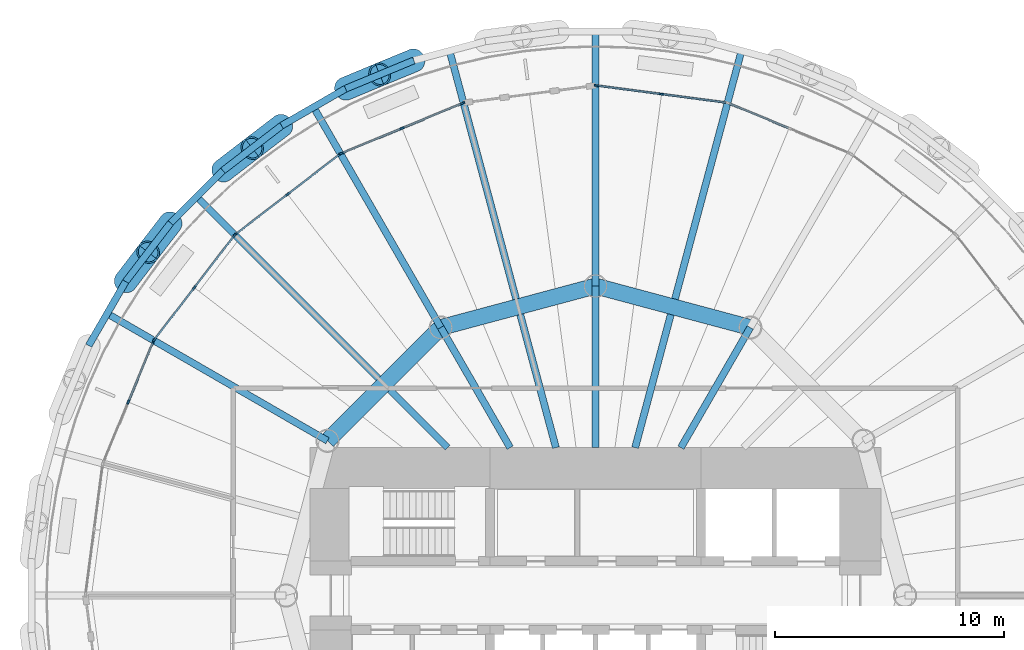
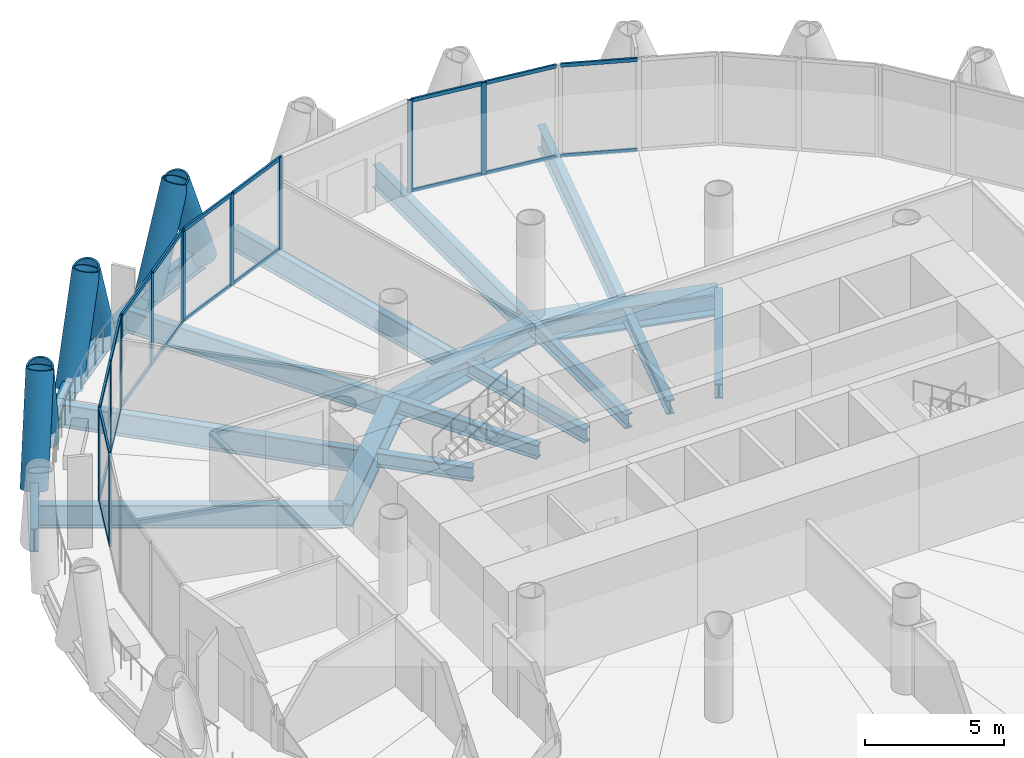
# One storey, part 6 of 15: 39 members, 21 beams, 6 elements without a shape of their own.
"""IFC4 building model written with IfcOpenShell, lengths in metres."""

from ifc_helpers import new_model, si_unit, direction, frame, origin, origin_2d, place, context, subcontext, project, spatial, rectangle, hollow_circle, i_section, extrude, material, material_profile, profile_set, type_object, element, aggregate, save


model = new_model("IFC4")

# Units and contexts
model_context = context("Model", 3, precision=1e-05, world=origin(), true_north=direction((0.0, 1.0)))
body_context = subcontext(model_context, "Body", "Model", "MODEL_VIEW")
ifc_project = project(units=[si_unit("LENGTHUNIT", "METRE"), si_unit("AREAUNIT", "SQUARE_METRE"), si_unit("VOLUMEUNIT", "CUBIC_METRE"), si_unit("PLANEANGLEUNIT", "RADIAN"), si_unit("MASSUNIT", "GRAM", prefix="KILO")], contexts=[model_context])

# Site, building, storey
site_placement = place(None, origin())
site = spatial("IfcSite", under=ifc_project, at=site_placement, CompositionType="ELEMENT")
building_placement = place(site_placement, origin())
building = spatial("IfcBuilding", under=site, at=building_placement, Name="Qaws Media Tower", CompositionType="ELEMENT")
storey_placement = place(building_placement, frame((0.0, 0.0, 164.60009765625)))
storey = spatial("IfcBuildingStorey", under=building, at=storey_placement, Name="L37", CompositionType="ELEMENT", Elevation=164.60009765625)

# Curtain wall, members
ifc_material_1 = material(Name="Aluminium and clear glass", Category="aluminium")
curtain_wall_type = type_object("IfcCurtainWallType", Name="Unitised curtain wall CW-B", PredefinedType="NOTDEFINED", material=ifc_material_1)
curtain_wall_1_placement = place(storey_placement, origin())
curtain_wall_1 = element("IfcCurtainWall", 1, at=curtain_wall_1_placement, inside=storey, type_object=curtain_wall_type, Name="CWB curtain wall L37-06", PredefinedType="NOTDEFINED")
ifc_material_2 = material(Name="Aluminium mullion", Category="aluminium")
ifc_material_profile_1 = material_profile(ifc_material_2, rectangle(XDim=0.080078125, YDim=0.199951171875, at=origin_2d()), Name="80x200")
ifc_profile_set_1 = profile_set([ifc_material_profile_1], Name="Aluminium mullion")
member_type_1 = type_object("IfcMemberType", Name="Curtain wall mullion 80x200", PredefinedType="MULLION", material=ifc_profile_set_1)
member_1_placement = place(storey_placement, frame((62.87939453125, 71.870849609375, 0.0), z_axis=(0.0, 0.0, 1.0), x_axis=(-0.130526124942, -0.991444870231, 0.0)))
member_1 = element("IfcMember", 2, at=member_1_placement, type_object=member_type_1, Name="CWB mullion 2", PredefinedType="MULLION", context=body_context, shape_type="SweptSolid", body=[
    extrude(rectangle(XDim=0.080078125, YDim=0.199951171875, at=origin_2d()), origin(), (0.0, 0.0, 1.0), 4.039794921875),
])
member_2_placement = place(storey_placement, frame((60.03955078125, 72.244873046875, 0.0), z_axis=(0.0, 0.0, 1.0), x_axis=(-0.130526124942, -0.991444870231, 0.0)))
member_2 = element("IfcMember", 3, at=member_2_placement, type_object=member_type_1, Name="CWB mullion 3", PredefinedType="MULLION", context=body_context, shape_type="SweptSolid", body=[
    extrude(rectangle(XDim=0.080078125, YDim=0.199951171875, at=origin_2d()), origin(), (0.0, 0.0, 1.0), 4.039794921875),
])

curtain_wall_2_placement = place(storey_placement, origin())
curtain_wall_2 = element("IfcCurtainWall", 4, at=curtain_wall_2_placement, inside=storey, type_object=curtain_wall_type, Name="CWB curtain wall L37-08", PredefinedType="NOTDEFINED")
member_3_placement = place(storey_placement, frame((54.204345703125, 71.4765625, 0.0), z_axis=(0.0, 0.0, 1.0), x_axis=(0.382683535434, -0.923879489819, 0.0)))
member_3 = element("IfcMember", 5, at=member_3_placement, type_object=member_type_1, Name="CWB mullion 1", PredefinedType="MULLION", context=body_context, shape_type="SweptSolid", body=[
    extrude(rectangle(XDim=0.080078125, YDim=0.199951171875, at=origin_2d()), origin(), (0.0, 0.0, 1.0), 4.039794921875),
])
member_4_placement = place(storey_placement, frame((51.55810546875, 70.38037109375, 0.0), z_axis=(0.0, 0.0, 1.0), x_axis=(0.382683535434, -0.923879489819, 0.0)))
member_4 = element("IfcMember", 6, at=member_4_placement, type_object=member_type_1, Name="CWB mullion 2", PredefinedType="MULLION", context=body_context, shape_type="SweptSolid", body=[
    extrude(rectangle(XDim=0.080078125, YDim=0.199951171875, at=origin_2d()), origin(), (0.0, 0.0, 1.0), 4.039794921875),
])
member_5_placement = place(storey_placement, frame((48.911865234375, 69.284423828125, 0.0), z_axis=(0.0, 0.0, 1.0), x_axis=(0.382683535434, -0.923879489819, 0.0)))
member_5 = element("IfcMember", 7, at=member_5_placement, type_object=member_type_1, Name="CWB mullion 3", PredefinedType="MULLION", context=body_context, shape_type="SweptSolid", body=[
    extrude(rectangle(XDim=0.080078125, YDim=0.199951171875, at=origin_2d()), origin(), (0.0, 0.0, 1.0), 4.039794921875),
])

curtain_wall_3_placement = place(storey_placement, origin())
curtain_wall_3 = element("IfcCurtainWall", 8, at=curtain_wall_3_placement, inside=storey, type_object=curtain_wall_type, Name="CWB curtain wall L37-09", PredefinedType="NOTDEFINED")
member_6_placement = place(storey_placement, frame((48.84326171875, 69.24462890625, 0.0), z_axis=(0.0, 0.0, 1.0), x_axis=(0.608761380919, -0.793353377191, 0.0)))
member_6 = element("IfcMember", 9, at=member_6_placement, type_object=member_type_1, Name="CWB mullion 1", PredefinedType="MULLION", context=body_context, shape_type="SweptSolid", body=[
    extrude(rectangle(XDim=0.080078125, YDim=0.199951171875, at=origin_2d()), origin(), (0.0, 0.0, 1.0), 4.039794921875),
])
member_7_placement = place(storey_placement, frame((46.571044921875, 67.5009765625, 0.0), z_axis=(0.0, 0.0, 1.0), x_axis=(0.608761380919, -0.793353377191, 0.0)))
member_7 = element("IfcMember", 10, at=member_7_placement, type_object=member_type_1, Name="CWB mullion 2", PredefinedType="MULLION", context=body_context, shape_type="SweptSolid", body=[
    extrude(rectangle(XDim=0.080078125, YDim=0.199951171875, at=origin_2d()), origin(), (0.0, 0.0, 1.0), 4.039794921875),
])
member_8_placement = place(storey_placement, frame((44.298583984375, 65.757568359375, 0.0), z_axis=(0.0, 0.0, 1.0), x_axis=(0.608761380919, -0.793353377191, 0.0)))
member_8 = element("IfcMember", 11, at=member_8_placement, type_object=member_type_1, Name="CWB mullion 3", PredefinedType="MULLION", context=body_context, shape_type="SweptSolid", body=[
    extrude(rectangle(XDim=0.080078125, YDim=0.199951171875, at=origin_2d()), origin(), (0.0, 0.0, 1.0), 4.039794921875),
])

curtain_wall_4_placement = place(storey_placement, origin())
curtain_wall_4 = element("IfcCurtainWall", 12, at=curtain_wall_4_placement, inside=storey, type_object=curtain_wall_type, Name="CWB curtain wall L37-10", PredefinedType="NOTDEFINED")
member_9_placement = place(storey_placement, frame((44.242431640625, 65.701416015625, 0.0), z_axis=(0.0, 0.0, 1.0), x_axis=(0.793353377191, -0.608761380919, 0.0)))
member_9 = element("IfcMember", 13, at=member_9_placement, type_object=member_type_1, Name="CWB mullion 1", PredefinedType="MULLION", context=body_context, shape_type="SweptSolid", body=[
    extrude(rectangle(XDim=0.080078125, YDim=0.199951171875, at=origin_2d()), origin(), (0.0, 0.0, 1.0), 4.039794921875),
])
member_10_placement = place(storey_placement, frame((42.4990234375, 63.428955078125, 0.0), z_axis=(0.0, 0.0, 1.0), x_axis=(0.793353377191, -0.608761380919, 0.0)))
member_10 = element("IfcMember", 14, at=member_10_placement, type_object=member_type_1, Name="CWB mullion 2", PredefinedType="MULLION", context=body_context, shape_type="SweptSolid", body=[
    extrude(rectangle(XDim=0.080078125, YDim=0.199951171875, at=origin_2d()), origin(), (0.0, 0.0, 1.0), 4.039794921875),
])
member_11_placement = place(storey_placement, frame((40.75537109375, 61.15673828125, 0.0), z_axis=(0.0, 0.0, 1.0), x_axis=(0.793353377191, -0.608761380919, 0.0)))
member_11 = element("IfcMember", 15, at=member_11_placement, type_object=member_type_1, Name="CWB mullion 3", PredefinedType="MULLION", context=body_context, shape_type="SweptSolid", body=[
    extrude(rectangle(XDim=0.080078125, YDim=0.199951171875, at=origin_2d()), origin(), (0.0, 0.0, 1.0), 4.039794921875),
])

curtain_wall_5_placement = place(storey_placement, origin())
curtain_wall_5 = element("IfcCurtainWall", 16, at=curtain_wall_5_placement, inside=storey, type_object=curtain_wall_type, Name="CWB curtain wall L37-11", PredefinedType="NOTDEFINED")
member_12_placement = place(storey_placement, frame((40.715576171875, 61.088134765625, 0.0), z_axis=(0.0, 0.0, 1.0), x_axis=(0.923879489819, -0.382683535434, 0.0)))
member_12 = element("IfcMember", 17, at=member_12_placement, type_object=member_type_1, Name="CWB mullion 1", PredefinedType="MULLION", context=body_context, shape_type="SweptSolid", body=[
    extrude(rectangle(XDim=0.080078125, YDim=0.199951171875, at=origin_2d()), origin(), (0.0, 0.0, 1.0), 4.039794921875),
])
member_13_placement = place(storey_placement, frame((39.61962890625, 58.44189453125, 0.0), z_axis=(0.0, 0.0, 1.0), x_axis=(0.923879489819, -0.382683535434, 0.0)))
member_13 = element("IfcMember", 18, at=member_13_placement, type_object=member_type_1, Name="CWB mullion 2", PredefinedType="MULLION", context=body_context, shape_type="SweptSolid", body=[
    extrude(rectangle(XDim=0.080078125, YDim=0.199951171875, at=origin_2d()), origin(), (0.0, 0.0, 1.0), 4.039794921875),
])

curtain_wall_6_placement = place(storey_placement, origin())
curtain_wall_6 = element("IfcCurtainWall", 19, at=curtain_wall_6_placement, inside=storey, type_object=curtain_wall_type, Name="CWB curtain wall L37-05", PredefinedType="NOTDEFINED")
ifc_material_3 = material(Name="Aluminium transom", Category="aluminium")
ifc_material_profile_2 = material_profile(ifc_material_3, rectangle(XDim=0.080078125, YDim=0.159912109375, at=origin_2d()), Name="80x160")
ifc_profile_set_2 = profile_set([ifc_material_profile_2], Name="Aluminium transom")
member_type_2 = type_object("IfcMemberType", Name="Curtain wall transom 80x160", PredefinedType="USERDEFINED", material=ifc_profile_set_2)
member_14_placement = place(storey_placement, frame((68.40478515625, 70.395751953125, 0.039794921875), z_axis=(-0.923884309714, 0.382671898974, 0.0), x_axis=(-0.382671898974, -0.923884309714, 0.0)))
member_14 = element("IfcMember", 20, at=member_14_placement, type_object=member_type_2, Name="CWB transom 2.1", ObjectType="TRANSOM", PredefinedType="USERDEFINED", context=body_context, shape_type="SweptSolid", body=[
    extrude(rectangle(XDim=0.080078125, YDim=0.159912109375, at=origin_2d()), origin(), (0.0, 0.0, 1.0), 2.7841796875),
])
member_15_placement = place(storey_placement, frame((68.40478515625, 70.395751953125, 4.0), z_axis=(-0.923884309714, 0.382671898974, 0.0), x_axis=(-0.382671898974, -0.923884309714, 0.0)))
member_15 = element("IfcMember", 21, at=member_15_placement, type_object=member_type_2, Name="CWB transom 2.2", ObjectType="TRANSOM", PredefinedType="USERDEFINED", context=body_context, shape_type="SweptSolid", body=[
    extrude(rectangle(XDim=0.080078125, YDim=0.159912109375, at=origin_2d()), origin(), (0.0, 0.0, 1.0), 2.7841796875),
])
aggregate(curtain_wall_6, [member_14, member_15])

# Member
member_16_placement = place(storey_placement, frame((65.679443359375, 71.502197265625, 0.039794921875), z_axis=(-0.991440262797, 0.130561117123, 0.0), x_axis=(-0.130561117123, -0.991440262797, 0.0)))
member_16 = element("IfcMember", 22, at=member_16_placement, type_object=member_type_2, Name="CWB transom 1.1", ObjectType="TRANSOM", PredefinedType="USERDEFINED", context=body_context, shape_type="SweptSolid", body=[
    extrude(rectangle(XDim=0.080078125, YDim=0.159912109375, at=origin_2d()), origin(), (0.0, 0.0, 1.0), 2.784423828125),
])

member_17_placement = place(storey_placement, frame((65.679443359375, 71.502197265625, 4.0), z_axis=(-0.991440262797, 0.130561117123, 0.0), x_axis=(-0.130561117123, -0.991440262797, 0.0)))
member_17 = element("IfcMember", 23, at=member_17_placement, type_object=member_type_2, Name="CWB transom 1.2", ObjectType="TRANSOM", PredefinedType="USERDEFINED", context=body_context, shape_type="SweptSolid", body=[
    extrude(rectangle(XDim=0.080078125, YDim=0.159912109375, at=origin_2d()), origin(), (0.0, 0.0, 1.0), 2.784423828125),
])

member_18_placement = place(storey_placement, frame((62.839599609375, 71.876220703125, 0.039794921875), z_axis=(-0.991450116363, 0.130486270401, 0.0), x_axis=(-0.130486270401, -0.991450116363, 0.0)))
member_18 = element("IfcMember", 24, at=member_18_placement, type_object=member_type_2, Name="CWB transom 2.1", ObjectType="TRANSOM", PredefinedType="USERDEFINED", context=body_context, shape_type="SweptSolid", body=[
    extrude(rectangle(XDim=0.080078125, YDim=0.159912109375, at=origin_2d()), origin(), (0.0, 0.0, 1.0), 2.783935546875),
])

member_19_placement = place(storey_placement, frame((62.839599609375, 71.876220703125, 4.0), z_axis=(-0.991450116363, 0.130486270401, 0.0), x_axis=(-0.130486270401, -0.991450116363, 0.0)))
member_19 = element("IfcMember", 25, at=member_19_placement, type_object=member_type_2, Name="CWB transom 2.2", ObjectType="TRANSOM", PredefinedType="USERDEFINED", context=body_context, shape_type="SweptSolid", body=[
    extrude(rectangle(XDim=0.080078125, YDim=0.159912109375, at=origin_2d()), origin(), (0.0, 0.0, 1.0), 2.783935546875),
])

aggregate(curtain_wall_1, [member_1, member_2, member_16, member_17, member_18, member_19])

member_20_placement = place(storey_placement, frame((54.16748046875, 71.461181640625, 0.039794921875), z_axis=(-0.923884309714, -0.382671898974, 0.0), x_axis=(0.382671898974, -0.923884309714, 0.0)))
member_20 = element("IfcMember", 26, at=member_20_placement, type_object=member_type_2, Name="CWB transom 1.1", ObjectType="TRANSOM", PredefinedType="USERDEFINED", context=body_context, shape_type="SweptSolid", body=[
    extrude(rectangle(XDim=0.080078125, YDim=0.159912109375, at=origin_2d()), origin(), (0.0, 0.0, 1.0), 2.7841796875),
])

member_21_placement = place(storey_placement, frame((54.16748046875, 71.461181640625, 4.0), z_axis=(-0.923884309714, -0.382671898974, 0.0), x_axis=(0.382671898974, -0.923884309714, 0.0)))
member_21 = element("IfcMember", 27, at=member_21_placement, type_object=member_type_2, Name="CWB transom 1.2", ObjectType="TRANSOM", PredefinedType="USERDEFINED", context=body_context, shape_type="SweptSolid", body=[
    extrude(rectangle(XDim=0.080078125, YDim=0.159912109375, at=origin_2d()), origin(), (0.0, 0.0, 1.0), 2.7841796875),
])

member_22_placement = place(storey_placement, frame((51.521240234375, 70.365234375, 0.039794921875), z_axis=(-0.923853305988, -0.382746742657, 0.0), x_axis=(0.382746742657, -0.923853305988, 0.0)))
member_22 = element("IfcMember", 28, at=member_22_placement, type_object=member_type_2, Name="CWB transom 2.1", ObjectType="TRANSOM", PredefinedType="USERDEFINED", context=body_context, shape_type="SweptSolid", body=[
    extrude(rectangle(XDim=0.080078125, YDim=0.159912109375, at=origin_2d()), origin(), (0.0, 0.0, 1.0), 2.7841796875),
])

member_23_placement = place(storey_placement, frame((51.521240234375, 70.365234375, 4.0), z_axis=(-0.923853305988, -0.382746742657, 0.0), x_axis=(0.382746742657, -0.923853305988, 0.0)))
member_23 = element("IfcMember", 29, at=member_23_placement, type_object=member_type_2, Name="CWB transom 2.2", ObjectType="TRANSOM", PredefinedType="USERDEFINED", context=body_context, shape_type="SweptSolid", body=[
    extrude(rectangle(XDim=0.080078125, YDim=0.159912109375, at=origin_2d()), origin(), (0.0, 0.0, 1.0), 2.7841796875),
])

aggregate(curtain_wall_2, [member_3, member_4, member_5, member_20, member_21, member_22, member_23])

member_24_placement = place(storey_placement, frame((48.8115234375, 69.220458984375, 0.039794921875), z_axis=(-0.793311295927, -0.608816218373, 0.0), x_axis=(0.608816218373, -0.793311295927, 0.0)))
member_24 = element("IfcMember", 30, at=member_24_placement, type_object=member_type_2, Name="CWB transom 1.1", ObjectType="TRANSOM", PredefinedType="USERDEFINED", context=body_context, shape_type="SweptSolid", body=[
    extrude(rectangle(XDim=0.080078125, YDim=0.159912109375, at=origin_2d()), origin(), (0.0, 0.0, 1.0), 2.7841796875),
])

member_25_placement = place(storey_placement, frame((48.8115234375, 69.220458984375, 4.0), z_axis=(-0.793311295927, -0.608816218373, 0.0), x_axis=(0.608816218373, -0.793311295927, 0.0)))
member_25 = element("IfcMember", 31, at=member_25_placement, type_object=member_type_2, Name="CWB transom 1.2", ObjectType="TRANSOM", PredefinedType="USERDEFINED", context=body_context, shape_type="SweptSolid", body=[
    extrude(rectangle(XDim=0.080078125, YDim=0.159912109375, at=origin_2d()), origin(), (0.0, 0.0, 1.0), 2.7841796875),
])

member_26_placement = place(storey_placement, frame((46.539306640625, 67.476806640625, 0.039794921875), z_axis=(-0.79334379464, -0.608773868942, 0.0), x_axis=(0.608773868942, -0.79334379464, 0.0)))
member_26 = element("IfcMember", 32, at=member_26_placement, type_object=member_type_2, Name="CWB transom 2.1", ObjectType="TRANSOM", PredefinedType="USERDEFINED", context=body_context, shape_type="SweptSolid", body=[
    extrude(rectangle(XDim=0.080078125, YDim=0.159912109375, at=origin_2d()), origin(), (0.0, 0.0, 1.0), 2.784423828125),
])

member_27_placement = place(storey_placement, frame((46.539306640625, 67.476806640625, 4.0), z_axis=(-0.79334379464, -0.608773868942, 0.0), x_axis=(0.608773868942, -0.79334379464, 0.0)))
member_27 = element("IfcMember", 33, at=member_27_placement, type_object=member_type_2, Name="CWB transom 2.2", ObjectType="TRANSOM", PredefinedType="USERDEFINED", context=body_context, shape_type="SweptSolid", body=[
    extrude(rectangle(XDim=0.080078125, YDim=0.159912109375, at=origin_2d()), origin(), (0.0, 0.0, 1.0), 2.784423828125),
])

aggregate(curtain_wall_3, [member_6, member_7, member_8, member_24, member_25, member_26, member_27])

member_28_placement = place(storey_placement, frame((44.21826171875, 65.669677734375, 0.039794921875), z_axis=(-0.608773868942, -0.79334379464, 0.0), x_axis=(0.79334379464, -0.608773868942, 0.0)))
member_28 = element("IfcMember", 34, at=member_28_placement, type_object=member_type_2, Name="CWB transom 1.1", ObjectType="TRANSOM", PredefinedType="USERDEFINED", context=body_context, shape_type="SweptSolid", body=[
    extrude(rectangle(XDim=0.080078125, YDim=0.159912109375, at=origin_2d()), origin(), (0.0, 0.0, 1.0), 2.784423828125),
])

member_29_placement = place(storey_placement, frame((44.21826171875, 65.669677734375, 4.0), z_axis=(-0.608773868942, -0.79334379464, 0.0), x_axis=(0.79334379464, -0.608773868942, 0.0)))
member_29 = element("IfcMember", 35, at=member_29_placement, type_object=member_type_2, Name="CWB transom 1.2", ObjectType="TRANSOM", PredefinedType="USERDEFINED", context=body_context, shape_type="SweptSolid", body=[
    extrude(rectangle(XDim=0.080078125, YDim=0.159912109375, at=origin_2d()), origin(), (0.0, 0.0, 1.0), 2.784423828125),
])

member_30_placement = place(storey_placement, frame((42.474609375, 63.397216796875, 0.039794921875), z_axis=(-0.608816218373, -0.793311295927, 0.0), x_axis=(0.793311295927, -0.608816218373, 0.0)))
member_30 = element("IfcMember", 36, at=member_30_placement, type_object=member_type_2, Name="CWB transom 2.1", ObjectType="TRANSOM", PredefinedType="USERDEFINED", context=body_context, shape_type="SweptSolid", body=[
    extrude(rectangle(XDim=0.080078125, YDim=0.159912109375, at=origin_2d()), origin(), (0.0, 0.0, 1.0), 2.7841796875),
])

member_31_placement = place(storey_placement, frame((42.474609375, 63.397216796875, 4.0), z_axis=(-0.608816218373, -0.793311295927, 0.0), x_axis=(0.793311295927, -0.608816218373, 0.0)))
member_31 = element("IfcMember", 37, at=member_31_placement, type_object=member_type_2, Name="CWB transom 2.2", ObjectType="TRANSOM", PredefinedType="USERDEFINED", context=body_context, shape_type="SweptSolid", body=[
    extrude(rectangle(XDim=0.080078125, YDim=0.159912109375, at=origin_2d()), origin(), (0.0, 0.0, 1.0), 2.7841796875),
])

aggregate(curtain_wall_4, [member_9, member_10, member_11, member_28, member_29, member_30, member_31])

member_32_placement = place(storey_placement, frame((40.700439453125, 61.051025390625, 0.039794921875), z_axis=(-0.382746742657, -0.923853305988, 0.0), x_axis=(0.923853305988, -0.382746742657, 0.0)))
member_32 = element("IfcMember", 38, at=member_32_placement, type_object=member_type_2, Name="CWB transom 1.1", ObjectType="TRANSOM", PredefinedType="USERDEFINED", context=body_context, shape_type="SweptSolid", body=[
    extrude(rectangle(XDim=0.080078125, YDim=0.159912109375, at=origin_2d()), origin(), (0.0, 0.0, 1.0), 2.7841796875),
])

member_33_placement = place(storey_placement, frame((40.700439453125, 61.051025390625, 4.0), z_axis=(-0.382746742657, -0.923853305988, 0.0), x_axis=(0.923853305988, -0.382746742657, 0.0)))
member_33 = element("IfcMember", 39, at=member_33_placement, type_object=member_type_2, Name="CWB transom 1.2", ObjectType="TRANSOM", PredefinedType="USERDEFINED", context=body_context, shape_type="SweptSolid", body=[
    extrude(rectangle(XDim=0.080078125, YDim=0.159912109375, at=origin_2d()), origin(), (0.0, 0.0, 1.0), 2.7841796875),
])

aggregate(curtain_wall_5, [member_12, member_13, member_32, member_33])

# Members
ifc_material_4 = material(Name="Steel S460", Category="steel")
ifc_material_profile_3 = material_profile(ifc_material_4, hollow_circle(Radius=0.508056640625, WallThickness=0.070068359375, at=origin_2d()), Name="CHS 1016x70")
ifc_profile_set_3 = profile_set([ifc_material_profile_3], Name="Steel S460")
member_type_3 = type_object("IfcMemberType", Name="Diagrid member CHS 1016x70", PredefinedType="USERDEFINED", material=ifc_profile_set_3)
for number, where, z_axis, x_axis, name in (
    (40, (52.076416015625, 73.341796875, -0.6640625), (-0.3313121209, -0.136540752856, 0.933589257304), (0.381031615688, -0.924562008654, 0.0), "DG3 diagrid L37 A08"),
    (41, (46.30517578125, 70.49560546875, -0.6640625), (-0.28469534615, -0.21761882159, 0.933590171526), (0.607292699113, -0.794478179438, 0.0), "DG3 diagrid L37 A09"),
    (42, (49.09765625, 72.10791015625, -0.6640625), (0.330823028294, 0.137734390717, 0.933587361506), (-0.38435729259, 0.923184419081, 0.0), "DG3 diagrid L37 B09"),
    (43, (41.467041015625, 66.2529296875, -0.6640625), (-0.218647985607, -0.283933050557, 0.933581855646), (0.792302996756, -0.610127823764, 0.0), "DG3 diagrid L37 A10"),
    (44, (43.7470703125, 68.532958984375, -0.6640625), (0.283933050557, 0.218647985607, 0.933581855646), (-0.610127823764, 0.792302996756, 0.0), "DG3 diagrid L37 B10"),
    (45, (39.50439453125, 63.69482421875, -0.6640625), (0.21761882159, 0.28469534615, 0.933590171526), (-0.794478179438, 0.607292699113, 0.0), "DG3 diagrid L37 B11"),
):
    element("IfcMember", number, at=place(storey_placement, frame(where, z_axis=z_axis, x_axis=x_axis)), inside=storey, type_object=member_type_3, Name=name, ObjectType="DIAGRID", PredefinedType="USERDEFINED", context=body_context, shape_type="SweptSolid", body=[
        extrude(hollow_circle(Radius=0.508056640625, WallThickness=0.070068359375, at=origin_2d()), origin(), (0.0, 0.0, 1.0), 4.498779296875),
    ])

# Beams
ifc_material_5 = material(Name="Steel S460", Category="steel")
ifc_material_profile_4 = material_profile(ifc_material_5, i_section(OverallWidth=0.302001953125, OverallDepth=1.008056640625, WebThickness=0.02099609375, FlangeThickness=0.0400390625, FilletRadius=0.030029296875, at=origin_2d()), Name="HE 1000 M")
ifc_profile_set_4 = profile_set([ifc_material_profile_4], Name="Steel S460")
beam_type_1 = type_object("IfcBeamType", Name="Edge ring beam HE 1000 M", PredefinedType="BEAM", material=ifc_profile_set_4)
beam_1_placement = place(storey_placement, frame((52.076416015625, 73.341796875, -0.6640625), z_axis=(-0.923874704855, -0.382695087151, 0.0), x_axis=(0.382695087151, -0.923874704855, 0.0)))
element("IfcBeam", 46, at=beam_1_placement, inside=storey, type_object=beam_type_1, Name="RB3 edge ring beam L37-15", PredefinedType="BEAM", context=body_context, shape_type="SweptSolid", body=[
    extrude(i_section(OverallWidth=0.302001953125, OverallDepth=1.008056640625, WebThickness=0.02099609375, FlangeThickness=0.0400390625, FilletRadius=0.030029296875, at=origin_2d()), origin(), (0.0, 0.0, 1.0), 3.22412109375),
])
beam_2_placement = place(storey_placement, frame((49.09765625, 72.10791015625, -0.6640625), z_axis=(-0.866016629664, -0.500015196914, 0.0), x_axis=(0.500015196914, -0.866016629664, 0.0)))
element("IfcBeam", 47, at=beam_2_placement, inside=storey, type_object=beam_type_1, Name="RB3 edge ring beam L37-16", PredefinedType="BEAM", context=body_context, shape_type="SweptSolid", body=[
    extrude(i_section(OverallWidth=0.302001953125, OverallDepth=1.008056640625, WebThickness=0.02099609375, FlangeThickness=0.0400390625, FilletRadius=0.030029296875, at=origin_2d()), origin(), (0.0, 0.0, 1.0), 3.224609375),
])
for number, where, z_axis, x_axis, name in (
    (48, (46.30517578125, 70.49560546875, -0.6640625), (-0.793391816766, -0.608711282209, 0.0), (0.608711282209, -0.793391816766, 0.0), "RB3 edge ring beam L37-17"),
    (49, (43.7470703125, 68.532958984375, -0.6640625), (-0.707106781187, -0.707106781187, 0.0), (0.707106781187, -0.707106781187, 0.0), "RB3 edge ring beam L37-18"),
    (50, (41.467041015625, 66.2529296875, -0.6640625), (-0.608711282209, -0.793391816766, 0.0), (0.793391816766, -0.608711282209, 0.0), "RB3 edge ring beam L37-19"),
):
    element("IfcBeam", number, at=place(storey_placement, frame(where, z_axis=z_axis, x_axis=x_axis)), inside=storey, type_object=beam_type_1, Name=name, PredefinedType="BEAM", context=body_context, shape_type="SweptSolid", body=[
        extrude(i_section(OverallWidth=0.302001953125, OverallDepth=1.008056640625, WebThickness=0.02099609375, FlangeThickness=0.0400390625, FilletRadius=0.030029296875, at=origin_2d()), origin(), (0.0, 0.0, 1.0), 3.224365234375),
    ])
beam_3_placement = place(storey_placement, frame((39.50439453125, 63.69482421875, -0.6640625), z_axis=(-0.500015196914, -0.866016629664, 0.0), x_axis=(0.866016629664, -0.500015196914, 0.0)))
element("IfcBeam", 51, at=beam_3_placement, inside=storey, type_object=beam_type_1, Name="RB3 edge ring beam L37-20", PredefinedType="BEAM", context=body_context, shape_type="SweptSolid", body=[
    extrude(i_section(OverallWidth=0.302001953125, OverallDepth=1.008056640625, WebThickness=0.02099609375, FlangeThickness=0.0400390625, FilletRadius=0.030029296875, at=origin_2d()), origin(), (0.0, 0.0, 1.0), 3.224609375),
])
ifc_material_6 = material(Name="Steel S460", Category="steel")
ifc_material_profile_5 = material_profile(ifc_material_6, i_section(OverallWidth=0.699951171875, OverallDepth=1.0, WebThickness=0.034912109375, FlangeThickness=0.090087890625, at=origin_2d()), Name="PG 1000x700")
ifc_profile_set_5 = profile_set([ifc_material_profile_5], Name="Steel S460")
beam_type_2 = type_object("IfcBeamType", Name="Inner ring girder PG 1000x700", PredefinedType="BEAM", material=ifc_profile_set_5)
for number, where, z_axis, x_axis, name in (
    (52, (66.75, 61.69140625, -0.66015625), (-0.965928090778, 0.258810593767, 0.0), (-0.258810593767, -0.965928090778, 0.0), "B3 inner ring beam L37 I03-I04"),
    (53, (60.0, 63.5, -0.66015625), (-0.965928090778, -0.258810593767, 0.0), (0.258810593767, -0.965928090778, 0.0), "B3 inner ring beam L37 I04-I05"),
):
    element("IfcBeam", number, at=place(storey_placement, frame(where, z_axis=z_axis, x_axis=x_axis)), inside=storey, type_object=beam_type_2, Name=name, PredefinedType="BEAM", context=body_context, shape_type="SweptSolid", body=[
        extrude(i_section(OverallWidth=0.699951171875, OverallDepth=1.0, WebThickness=0.034912109375, FlangeThickness=0.090087890625, at=origin_2d()), origin(), (0.0, 0.0, 1.0), 6.988037109375),
    ])
beam_4_placement = place(storey_placement, frame((53.25, 61.69140625, -0.66015625), z_axis=(-0.707106781187, -0.707106781187, 0.0), x_axis=(0.707106781187, -0.707106781187, 0.0)))
element("IfcBeam", 54, at=beam_4_placement, inside=storey, type_object=beam_type_2, Name="B3 inner ring beam L37 I05-I06", PredefinedType="BEAM", context=body_context, shape_type="SweptSolid", body=[
    extrude(i_section(OverallWidth=0.699951171875, OverallDepth=1.0, WebThickness=0.034912109375, FlangeThickness=0.090087890625, at=origin_2d()), origin(), (0.0, 0.0, 1.0), 6.98828125),
])
ifc_material_7 = material(Name="Steel S355", Category="steel")
ifc_material_profile_6 = material_profile(ifc_material_7, i_section(OverallWidth=0.302001953125, OverallDepth=1.008056640625, WebThickness=0.02099609375, FlangeThickness=0.0400390625, FilletRadius=0.030029296875, at=origin_2d()), Name="HE 1000 M")
ifc_profile_set_6 = profile_set([ifc_material_profile_6], Name="Steel S355")
beam_type_3 = type_object("IfcBeamType", Name="Radial beam HE 1000 M", PredefinedType="BEAM", material=ifc_profile_set_6)
beam_5_placement = place(storey_placement, frame((63.465576171875, 62.933837890625, -0.6640625), z_axis=(0.258821744446, 0.965925102998, 0.0), x_axis=(-0.965925102998, 0.258821744446, 0.0)))
element("IfcBeam", 55, at=beam_5_placement, inside=storey, type_object=beam_type_3, Name="B1 radial beam L37 06", PredefinedType="BEAM", context=body_context, shape_type="SweptSolid", body=[
    extrude(i_section(OverallWidth=0.302001953125, OverallDepth=1.008056640625, WebThickness=0.02099609375, FlangeThickness=0.0400390625, FilletRadius=0.030029296875, at=origin_2d()), origin(), (0.0, 0.0, 1.0), 11.20703125),
])
beam_6_placement = place(storey_placement, frame((60.0, 63.5, -0.6640625), z_axis=(0.0, 1.0, 0.0), x_axis=(-1.0, 0.0, 0.0)))
element("IfcBeam", 56, at=beam_6_placement, inside=storey, type_object=beam_type_3, Name="B1 radial beam L37 07", PredefinedType="BEAM", context=body_context, shape_type="SweptSolid", body=[
    extrude(i_section(OverallWidth=0.302001953125, OverallDepth=1.008056640625, WebThickness=0.02099609375, FlangeThickness=0.0400390625, FilletRadius=0.030029296875, at=origin_2d()), origin(), (0.0, 0.0, 1.0), 11.09716796875),
])
beam_7_placement = place(storey_placement, frame((56.534423828125, 62.933837890625, -0.6640625), z_axis=(-0.258821744446, 0.965925102998, 0.0), x_axis=(-0.965925102998, -0.258821744446, 0.0)))
element("IfcBeam", 57, at=beam_7_placement, inside=storey, type_object=beam_type_3, Name="B1 radial beam L37 08", PredefinedType="BEAM", context=body_context, shape_type="SweptSolid", body=[
    extrude(i_section(OverallWidth=0.302001953125, OverallDepth=1.008056640625, WebThickness=0.02099609375, FlangeThickness=0.0400390625, FilletRadius=0.030029296875, at=origin_2d()), origin(), (0.0, 0.0, 1.0), 11.20703125),
])
beam_8_placement = place(storey_placement, frame((53.25, 61.69140625, -0.6640625), z_axis=(-0.500003036112, 0.866023650878, 0.0), x_axis=(-0.866023650878, -0.500003036112, 0.0)))
element("IfcBeam", 58, at=beam_8_placement, inside=storey, type_object=beam_type_3, Name="B1 radial beam L37 09", PredefinedType="BEAM", context=body_context, shape_type="SweptSolid", body=[
    extrude(i_section(OverallWidth=0.302001953125, OverallDepth=1.008056640625, WebThickness=0.02099609375, FlangeThickness=0.0400390625, FilletRadius=0.030029296875, at=origin_2d()), origin(), (0.0, 0.0, 1.0), 11.09716796875),
])
beam_9_placement = place(storey_placement, frame((50.53173828125, 59.46826171875, -0.6640625), z_axis=(-0.707106781187, 0.707106781187, 0.0), x_axis=(-0.707106781187, -0.707106781187, 0.0)))
element("IfcBeam", 59, at=beam_9_placement, inside=storey, type_object=beam_type_3, Name="B1 radial beam L37 10", PredefinedType="BEAM", context=body_context, shape_type="SweptSolid", body=[
    extrude(i_section(OverallWidth=0.302001953125, OverallDepth=1.008056640625, WebThickness=0.02099609375, FlangeThickness=0.0400390625, FilletRadius=0.030029296875, at=origin_2d()), origin(), (0.0, 0.0, 1.0), 11.20703125),
])
beam_10_placement = place(storey_placement, frame((48.30859375, 56.75, -0.6640625), z_axis=(-0.866023650878, 0.500003036112, 0.0), x_axis=(-0.500003036112, -0.866023650878, 0.0)))
element("IfcBeam", 60, at=beam_10_placement, inside=storey, type_object=beam_type_3, Name="B1 radial beam L37 11", PredefinedType="BEAM", context=body_context, shape_type="SweptSolid", body=[
    extrude(i_section(OverallWidth=0.302001953125, OverallDepth=1.008056640625, WebThickness=0.02099609375, FlangeThickness=0.0400390625, FilletRadius=0.030029296875, at=origin_2d()), origin(), (0.0, 0.0, 1.0), 11.09716796875),
])
ifc_material_8 = material(Name="Steel S355", Category="steel")
ifc_material_profile_7 = material_profile(ifc_material_8, i_section(OverallWidth=0.304931640625, OverallDepth=0.6201171875, WebThickness=0.02099609375, FlangeThickness=0.0400390625, FilletRadius=0.027099609375, at=origin_2d()), Name="HE 600 M")
ifc_profile_set_7 = profile_set([ifc_material_profile_7], Name="Steel S355")
beam_type_4 = type_object("IfcBeamType", Name="Radial beam HE 600 M, core side", PredefinedType="BEAM", material=ifc_profile_set_7)
beam_11_placement = place(storey_placement, frame((63.723876953125, 56.449951171875, -0.47021484375), z_axis=(0.499995978368, 0.866027725662, 0.0), x_axis=(-0.866027725662, 0.499995978368, 0.0)))
element("IfcBeam", 61, at=beam_11_placement, inside=storey, type_object=beam_type_4, Name="B2 radial beam L37 05", PredefinedType="BEAM", context=body_context, shape_type="SweptSolid", body=[
    extrude(i_section(OverallWidth=0.304931640625, OverallDepth=0.6201171875, WebThickness=0.02099609375, FlangeThickness=0.0400390625, FilletRadius=0.027099609375, at=origin_2d()), origin(), (0.0, 0.0, 1.0), 6.05224609375),
])
beam_12_placement = place(storey_placement, frame((61.728271484375, 56.449951171875, -0.47021484375), z_axis=(0.258819977482, 0.965925576458, 0.0), x_axis=(-0.965925576458, 0.258819977482, 0.0)))
element("IfcBeam", 62, at=beam_12_placement, inside=storey, type_object=beam_type_4, Name="B2 radial beam L37 06", PredefinedType="BEAM", context=body_context, shape_type="SweptSolid", body=[
    extrude(i_section(OverallWidth=0.304931640625, OverallDepth=0.6201171875, WebThickness=0.02099609375, FlangeThickness=0.0400390625, FilletRadius=0.027099609375, at=origin_2d()), origin(), (0.0, 0.0, 1.0), 6.012451171875),
])
beam_13_placement = place(storey_placement, frame((60.0, 56.449951171875, -0.47021484375), z_axis=(0.0, 1.0, 0.0), x_axis=(-1.0, 0.0, 0.0)))
element("IfcBeam", 63, at=beam_13_placement, inside=storey, type_object=beam_type_4, Name="B2 radial beam L37 07", PredefinedType="BEAM", context=body_context, shape_type="SweptSolid", body=[
    extrude(i_section(OverallWidth=0.304931640625, OverallDepth=0.6201171875, WebThickness=0.02099609375, FlangeThickness=0.0400390625, FilletRadius=0.027099609375, at=origin_2d()), origin(), (0.0, 0.0, 1.0), 7.050048828125),
])
beam_14_placement = place(storey_placement, frame((58.271728515625, 56.449951171875, -0.47021484375), z_axis=(-0.258819977482, 0.965925576458, 0.0), x_axis=(-0.965925576458, -0.258819977482, 0.0)))
element("IfcBeam", 64, at=beam_14_placement, inside=storey, type_object=beam_type_4, Name="B2 radial beam L37 08", PredefinedType="BEAM", context=body_context, shape_type="SweptSolid", body=[
    extrude(i_section(OverallWidth=0.304931640625, OverallDepth=0.6201171875, WebThickness=0.02099609375, FlangeThickness=0.0400390625, FilletRadius=0.027099609375, at=origin_2d()), origin(), (0.0, 0.0, 1.0), 6.012451171875),
])
beam_15_placement = place(storey_placement, frame((56.276123046875, 56.449951171875, -0.47021484375), z_axis=(-0.499995978368, 0.866027725662, 0.0), x_axis=(-0.866027725662, -0.499995978368, 0.0)))
element("IfcBeam", 65, at=beam_15_placement, inside=storey, type_object=beam_type_4, Name="B2 radial beam L37 09", PredefinedType="BEAM", context=body_context, shape_type="SweptSolid", body=[
    extrude(i_section(OverallWidth=0.304931640625, OverallDepth=0.6201171875, WebThickness=0.02099609375, FlangeThickness=0.0400390625, FilletRadius=0.027099609375, at=origin_2d()), origin(), (0.0, 0.0, 1.0), 6.05224609375),
])
beam_16_placement = place(storey_placement, frame((53.550048828125, 56.449951171875, -0.47021484375), z_axis=(-0.707106781187, 0.707106781187, 0.0), x_axis=(-0.707106781187, -0.707106781187, 0.0)))
element("IfcBeam", 66, at=beam_16_placement, inside=storey, type_object=beam_type_4, Name="B2 radial beam L37 10", PredefinedType="BEAM", context=body_context, shape_type="SweptSolid", body=[
    extrude(i_section(OverallWidth=0.304931640625, OverallDepth=0.6201171875, WebThickness=0.02099609375, FlangeThickness=0.0400390625, FilletRadius=0.027099609375, at=origin_2d()), origin(), (0.0, 0.0, 1.0), 3.568359375),
])

save(model, "model.ifc")
